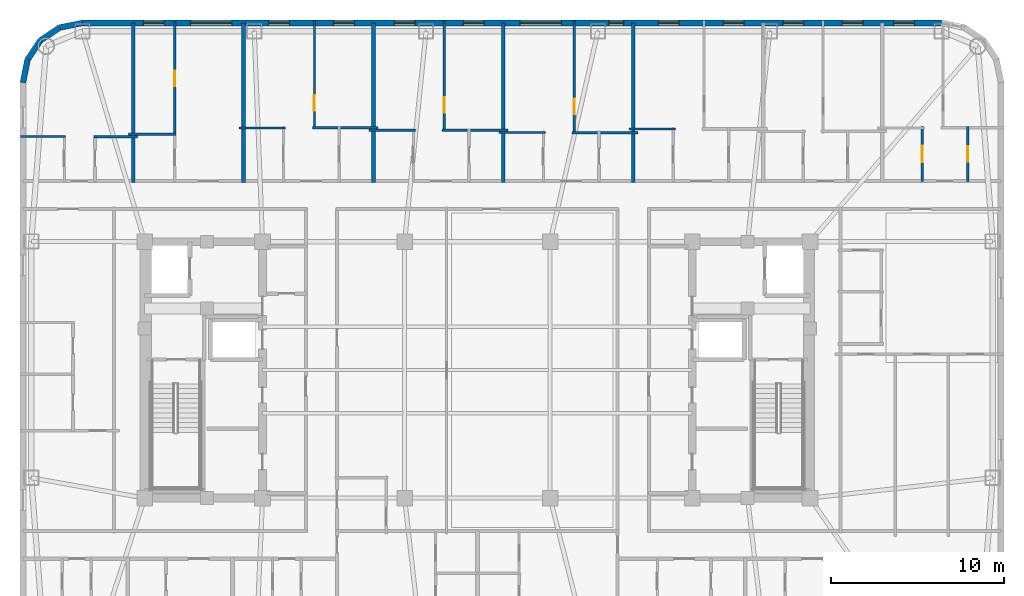
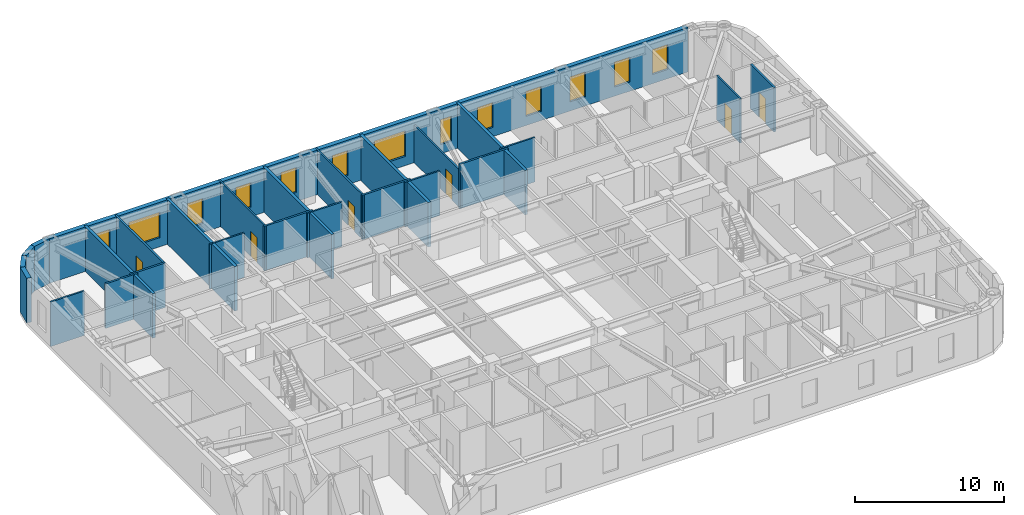
# One storey, part 8 of 11: 26 walls, 13 windows, 6 doors, 19 openings.
"""IFC4 building model written with IfcOpenShell, lengths in metres."""

import ifcopenshell
import ifcopenshell.guid

model = None  # the IFC model being written
_history = None  # IfcOwnerHistory: only IFC2X3 demands one
_inside = {}  # id of a spatial element -> (the spatial element, [elements in it])
_under = {}  # id of a project, library or spatial element -> (it, [spatial elements below it])
_declared = {}  # id of a project -> (the project, [libraries it declares])
_typed = {}  # id of a type object -> (the type object, [elements of that type])
_made_of = {}  # id of a material, layer set ... -> (it, [elements and type objects made of it])


def new_model(schema):
    """Start an empty IFC model of exactly this schema.

    Asked for "IFC4X3", IfcOpenShell would pick the latest addendum, in which some entities
    have other attributes; the version numbers below select the first issue.
    IFC2X3 requires an IfcOwnerHistory on every rooted entity: one is made here for all.
    """
    global model, _history
    if schema == "IFC4X3":
        model = ifcopenshell.file(schema_version=(4, 3, 0, 0))
    else:
        model = ifcopenshell.file(schema=schema)
    _inside.clear()
    _under.clear()
    _declared.clear()
    _typed.clear()
    _made_of.clear()
    _history = None
    if model.schema == "IFC2X3":
        org = make("IfcOrganization", Name="unknown")
        user = make(
            "IfcPersonAndOrganization",
            ThePerson=make("IfcPerson", FamilyName="unknown"),
            TheOrganization=org,
        )
        app = make(
            "IfcApplication",
            ApplicationDeveloper=org,
            Version="unknown",
            ApplicationFullName="unknown",
            ApplicationIdentifier="unknown",
        )
        _history = make(
            "IfcOwnerHistory",
            OwningUser=user,
            OwningApplication=app,
            ChangeAction="ADDED",
            CreationDate=0,
        )
    return model


def make(cls, **values):
    """One entity of the class cls with the attributes given. An attribute that is None is left unset."""
    return model.create_entity(
        cls, **{name: value for name, value in values.items() if value is not None}
    )


def rooted(cls, **values):
    """An entity with a GlobalId (a new one), such as an element, a storey or a relation."""
    return make(cls, GlobalId=ifcopenshell.guid.new(), OwnerHistory=_history, **values)


def si_unit(unit_type, name, prefix=None):
    """IfcSIUnit, for example si_unit("LENGTHUNIT", "METRE", prefix="MILLI")."""
    return make("IfcSIUnit", UnitType=unit_type, Prefix=prefix, Name=name)


def assignment(units):
    """IfcUnitAssignment: the units of a project."""
    return None if units is None else make("IfcUnitAssignment", Units=units)


def point(xyz):
    """IfcCartesianPoint."""
    return None if xyz is None else make("IfcCartesianPoint", Coordinates=xyz)


def direction(xyz):
    """IfcDirection."""
    return None if xyz is None else make("IfcDirection", DirectionRatios=xyz)


def frame(location, z_axis=None, x_axis=None):
    """IfcAxis2Placement3D, a coordinate frame: its origin and axes. An axis left out is left unset."""
    return make(
        "IfcAxis2Placement3D",
        Location=point(location),
        Axis=direction(z_axis),
        RefDirection=direction(x_axis),
    )


def frame_2d(location, x_axis=None):
    """IfcAxis2Placement2D, a coordinate frame in the plane: its origin and x axis."""
    return make(
        "IfcAxis2Placement2D", Location=point(location), RefDirection=direction(x_axis)
    )


def origin():
    """The frame at (0, 0, 0) with its axes left unset."""
    return frame((0.0, 0.0, 0.0))


def place(relative_to, where):
    """IfcLocalPlacement: puts the frame where relative to a parent placement (None: the world)."""
    return make(
        "IfcLocalPlacement", PlacementRelTo=relative_to, RelativePlacement=where
    )


def context(
    kind, dimensions, precision=None, world=None, true_north=None, identifier=None
):
    """IfcGeometricRepresentationContext, for example the 3D "Model" context."""
    return make(
        "IfcGeometricRepresentationContext",
        ContextIdentifier=identifier,
        ContextType=kind,
        CoordinateSpaceDimension=dimensions,
        Precision=precision,
        WorldCoordinateSystem=world,
        TrueNorth=true_north,
    )


def subcontext(parent, identifier, kind, view, scale=None):
    """IfcGeometricRepresentationSubContext, for example "Body" below "Model"."""
    return make(
        "IfcGeometricRepresentationSubContext",
        ContextIdentifier=identifier,
        ContextType=kind,
        ParentContext=parent,
        TargetScale=scale,
        TargetView=view,
    )


def project(units=None, contexts=None):
    """IfcProject with its units and contexts."""
    return rooted(
        "IfcProject",
        Name="project",
        RepresentationContexts=contexts,
        UnitsInContext=assignment(units),
    )


def spatial(cls, under=None, at=None, **own):
    """A site, building, storey or space (cls), placed at a placement, below another one or the project."""
    s = rooted(cls, ObjectPlacement=at, **own)
    if under is not None:
        _under.setdefault(under.id(), (under, []))[1].append(s)
    return s


def profile(cls, at=None, kind="AREA", **sizes):
    """A parametric profile (cls). Its sizes go by their IFC names, for example OverallWidth=200.0."""
    return make(cls, ProfileType=kind, Position=at, **sizes)


def rectangle(**sizes):
    """IfcRectangleProfileDef."""
    return profile("IfcRectangleProfileDef", **sizes)


def extrude(swept, where, along, depth):
    """IfcExtrudedAreaSolid: the profile swept, set in the frame where, extruded along a direction by depth."""
    return make(
        "IfcExtrudedAreaSolid",
        SweptArea=swept,
        Position=where,
        ExtrudedDirection=direction(along),
        Depth=depth,
    )


def shape(context_of_items, identifier, shape_type, items):
    """IfcShapeRepresentation: the items that make up one representation, for example the "Body"."""
    return make(
        "IfcShapeRepresentation",
        ContextOfItems=context_of_items,
        RepresentationIdentifier=identifier,
        RepresentationType=shape_type,
        Items=items,
    )


def material(Name=None, Category=None):
    """IfcMaterial."""
    return make("IfcMaterial", Name=Name, Category=Category)


def layer(
    of_material, thickness, ventilated=None, Name=None, Category=None, Priority=None
):
    """IfcMaterialLayer: one layer of a wall or slab, of a material (None: an air gap)."""
    return make(
        "IfcMaterialLayer",
        Material=of_material,
        LayerThickness=thickness,
        IsVentilated=ventilated,
        Name=Name,
        Category=Category,
        Priority=Priority,
    )


def layer_set(layers, Name=None):
    """IfcMaterialLayerSet."""
    return make("IfcMaterialLayerSet", MaterialLayers=layers, LayerSetName=Name)


def made_of(thing, what):
    """Note that an element or type object is made of a material, layer set ...; save() writes the relation."""
    if what is not None:
        _made_of.setdefault(what.id(), (what, []))[1].append(thing)
    return thing


def type_object(cls, material=None, **own):
    """A type object (cls), such as IfcWallType, which elements share."""
    return made_of(rooted(cls, **own), material)


def element(
    cls,
    number,
    at=None,
    inside=None,
    cuts=None,
    type_object=None,
    material=None,
    context=None,
    identifier="Body",
    shape_type=None,
    held_by="IfcProductDefinitionShape",
    body=None,
    shapes=None,
    **own,
):
    """One element of the class cls, such as IfcWall. Its Tag is "e" and its number.

    at: its placement. inside: the storey or other place that contains it. cuts: it is an
    opening in that element (IfcRelVoidsElement). A single representation is given by context,
    identifier, shape_type and body (its items); several are given by shapes. held_by: the class
    of the entity that holds the representations. save() writes the other relations.
    """
    e = rooted(cls, Tag="e%d" % number, ObjectPlacement=at, **own)
    if body is not None:
        shapes = [shape(context, identifier, shape_type, body)]
    if shapes is not None:
        e.Representation = make(held_by, Representations=shapes)
    if inside is not None:
        _inside.setdefault(inside.id(), (inside, []))[1].append(e)
    if cuts is not None:
        rooted(
            "IfcRelVoidsElement", RelatingBuildingElement=cuts, RelatedOpeningElement=e
        )
    if type_object is not None:
        _typed.setdefault(type_object.id(), (type_object, []))[1].append(e)
    return made_of(e, material)


def fill(opening, filler):
    """IfcRelFillsElement: the door or window that sits in an opening."""
    return rooted(
        "IfcRelFillsElement",
        RelatingOpeningElement=opening,
        RelatedBuildingElement=filler,
    )


def aggregate(whole, parts):
    """IfcRelAggregates: a whole, such as a stair, and the parts it consists of."""
    return rooted("IfcRelAggregates", RelatingObject=whole, RelatedObjects=parts)


def save(model, path):
    """Write the relations noted so far, then the file.

    IfcRelAggregates (storeys below a building ...), IfcRelContainedInSpatialStructure (elements
    in a storey), IfcRelDefinesByType, IfcRelAssociatesMaterial and IfcRelDeclares: one each for
    every whole, place, type object, material and project.
    """
    for whole, parts in _under.values():
        aggregate(whole, parts)
    for where, things in _inside.values():
        rooted(
            "IfcRelContainedInSpatialStructure",
            RelatedElements=things,
            RelatingStructure=where,
        )
    for kind, things in _typed.values():
        rooted("IfcRelDefinesByType", RelatedObjects=things, RelatingType=kind)
    for what, things in _made_of.values():
        rooted("IfcRelAssociatesMaterial", RelatedObjects=things, RelatingMaterial=what)
    for by, libraries in _declared.values():
        rooted("IfcRelDeclares", RelatingContext=by, RelatedDefinitions=libraries)
    model.write(path)


model = new_model("IFC4")

# Units and contexts
model_context = context("Model", 3, precision=1e-05, world=origin(), true_north=direction((0.0, 1.0)))
body_context = subcontext(model_context, "Body", "Model", "MODEL_VIEW")
ifc_project = project(units=[si_unit("LENGTHUNIT", "METRE"), si_unit("AREAUNIT", "SQUARE_METRE"), si_unit("VOLUMEUNIT", "CUBIC_METRE"), si_unit("PLANEANGLEUNIT", "RADIAN"), si_unit("MASSUNIT", "GRAM", prefix="KILO")], contexts=[model_context])

# Site, building, storey
site_placement = place(None, origin())
site = spatial("IfcSite", under=ifc_project, at=site_placement, CompositionType="ELEMENT")
building_placement = place(site_placement, origin())
building = spatial("IfcBuilding", under=site, at=building_placement, Name="Voryun Gate Residences", CompositionType="ELEMENT")
storey_placement = place(building_placement, frame((0.0, 0.0, 243.10009765625)))
storey = spatial("IfcBuildingStorey", under=building, at=storey_placement, Name="L60", CompositionType="ELEMENT", Elevation=243.10009765625)

# Walls
ifc_material_1 = material(Name="Charcoal terracotta masonry", Category="masonry")
ifc_layer_1 = layer(ifc_material_1, 0.340087890625, Name="W_EXT_TERRACOTTA_340")
ifc_layer_set_1 = layer_set([ifc_layer_1], Name="Charcoal terracotta masonry")
wall_type_1 = type_object("IfcWallType", Name="W_EXT_TERRACOTTA_340", PredefinedType="ELEMENTEDWALL", material=ifc_layer_set_1)
wall_1_placement = place(storey_placement, frame((-26.22998046875, 16.583251953125, 0.0), z_axis=(0.0, 0.0, 1.0), x_axis=(0.195075878998, 0.980788153188, 0.0)))
element("IfcWall", 1, at=wall_1_placement, inside=storey, type_object=wall_type_1, Name="Exterior wall WEXT-L60-07", PredefinedType="ELEMENTEDWALL", context=body_context, shape_type="SweptSolid", body=[
    extrude(rectangle(XDim=1.354248046875, YDim=0.340087890625, at=frame_2d((0.67724609375, 0.0))), origin(), (0.0, 0.0, 1.0), 3.64990234375),
])
for number, where, z_axis, x_axis, name in (
    (2, (-25.9658203125, 17.911376953125, 0.0), (0.0, 0.0, 1.0), (0.555669034571, 0.831403586725, 0.0), "Exterior wall WEXT-L60-08"),
    (3, (-25.222900390625, 19.02294921875, 0.0), (0.0, 0.0, 1.0), (0.831403586725, 0.555669034571, 0.0), "Exterior wall WEXT-L60-09"),
):
    element("IfcWall", number, at=place(storey_placement, frame(where, z_axis=z_axis, x_axis=x_axis)), inside=storey, type_object=wall_type_1, Name=name, PredefinedType="ELEMENTEDWALL", context=body_context, shape_type="SweptSolid", body=[
        extrude(rectangle(XDim=1.3369140625, YDim=0.340087890625, at=frame_2d((0.66845703125, 0.0))), origin(), (0.0, 0.0, 1.0), 3.64990234375),
    ])
wall_2_placement = place(storey_placement, frame((-24.111328125, 19.765869140625, 0.0), z_axis=(0.0, 0.0, 1.0), x_axis=(0.980788153188, 0.195075878998, 0.0)))
element("IfcWall", 4, at=wall_2_placement, inside=storey, type_object=wall_type_1, Name="Exterior wall WEXT-L60-10", PredefinedType="ELEMENTEDWALL", context=body_context, shape_type="SweptSolid", body=[
    extrude(rectangle(XDim=1.354248046875, YDim=0.340087890625, at=frame_2d((0.67724609375, 0.0))), origin(), (0.0, 0.0, 1.0), 3.64990234375),
])

# Wall, openings, windows
wall_3_placement = place(storey_placement, frame((-22.783203125, 20.030029296875, 0.0), z_axis=(0.0, 0.0, 1.0), x_axis=(1.0, 0.0, 0.0)))
wall_3 = element("IfcWall", 5, at=wall_3_placement, inside=storey, type_object=wall_type_1, Name="Exterior wall WEXT-L60-11", PredefinedType="ELEMENTEDWALL", context=body_context, shape_type="SweptSolid", body=[
    extrude(rectangle(XDim=49.56640625, YDim=0.340087890625, at=frame_2d((24.783203125, 0.0))), origin(), (0.0, 0.0, 1.0), 3.64990234375),
])
opening_1_placement = place(wall_3_placement, frame((6.211181640625, 0.0, 0.75)))
opening_1 = element("IfcOpeningElement", 6, at=opening_1_placement, cuts=wall_3, Name="Opening WN2", PredefinedType="OPENING", context=body_context, shape_type="SweptSolid", body=[
    extrude(rectangle(XDim=2.39990234375, YDim=2.10009765625, at=frame_2d((1.199951171875, 1.050048828125))), frame((0.0, 0.179931640625, 0.0), z_axis=(0.0, -1.0, 0.0), x_axis=(1.0, 0.0, 0.0)), (0.0, 0.0, 1.0), 0.360107421875),
])
opening_2_placement = place(wall_3_placement, frame((25.2333984375, 0.0, 0.75)))
opening_2 = element("IfcOpeningElement", 7, at=opening_2_placement, cuts=wall_3, Name="Opening WN2", PredefinedType="OPENING", context=body_context, shape_type="SweptSolid", body=[
    extrude(rectangle(XDim=2.39990234375, YDim=2.10009765625, at=frame_2d((1.199951171875, 1.050048828125))), frame((0.0, 0.179931640625, 0.0), z_axis=(0.0, -1.0, 0.0), x_axis=(1.0, 0.0, 0.0)), (0.0, 0.0, 1.0), 0.360107421875),
])
opening_3_placement = place(wall_3_placement, frame((3.5107421875, 0.0, 0.75)))
opening_3 = element("IfcOpeningElement", 8, at=opening_3_placement, cuts=wall_3, Name="Opening WN6", PredefinedType="OPENING", context=body_context, shape_type="SweptSolid", body=[
    extrude(rectangle(XDim=1.199951171875, YDim=2.050048828125, at=frame_2d((0.60009765625, 1.02490234375))), frame((0.0, 0.179931640625, 0.0), z_axis=(0.0, -1.0, 0.0), x_axis=(1.0, 0.0, 0.0)), (0.0, 0.0, 1.0), 0.360107421875),
])
opening_4_placement = place(wall_3_placement, frame((10.728271484375, 0.0, 0.75)))
opening_4 = element("IfcOpeningElement", 9, at=opening_4_placement, cuts=wall_3, Name="Opening WN6", PredefinedType="OPENING", context=body_context, shape_type="SweptSolid", body=[
    extrude(rectangle(XDim=1.199951171875, YDim=2.050048828125, at=frame_2d((0.60009765625, 1.02490234375))), frame((0.0, 0.179931640625, 0.0), z_axis=(0.0, -1.0, 0.0), x_axis=(1.0, 0.0, 0.0)), (0.0, 0.0, 1.0), 0.360107421875),
])
opening_5_placement = place(wall_3_placement, frame((14.478271484375, 0.0, 0.75)))
opening_5 = element("IfcOpeningElement", 10, at=opening_5_placement, cuts=wall_3, Name="Opening WN6", PredefinedType="OPENING", context=body_context, shape_type="SweptSolid", body=[
    extrude(rectangle(XDim=1.199951171875, YDim=2.050048828125, at=frame_2d((0.60009765625, 1.02490234375))), frame((0.0, 0.179931640625, 0.0), z_axis=(0.0, -1.0, 0.0), x_axis=(1.0, 0.0, 0.0)), (0.0, 0.0, 1.0), 0.360107421875),
])
opening_6_placement = place(wall_3_placement, frame((17.98828125, 0.0, 0.75)))
opening_6 = element("IfcOpeningElement", 11, at=opening_6_placement, cuts=wall_3, Name="Opening WN6", PredefinedType="OPENING", context=body_context, shape_type="SweptSolid", body=[
    extrude(rectangle(XDim=1.199951171875, YDim=2.050048828125, at=frame_2d((0.60009765625, 1.02490234375))), frame((0.0, 0.179931640625, 0.0), z_axis=(0.0, -1.0, 0.0), x_axis=(1.0, 0.0, 0.0)), (0.0, 0.0, 1.0), 0.360107421875),
])
opening_7_placement = place(wall_3_placement, frame((21.978271484375, 0.0, 0.75)))
opening_7 = element("IfcOpeningElement", 12, at=opening_7_placement, cuts=wall_3, Name="Opening WN6", PredefinedType="OPENING", context=body_context, shape_type="SweptSolid", body=[
    extrude(rectangle(XDim=1.199951171875, YDim=2.050048828125, at=frame_2d((0.60009765625, 1.02490234375))), frame((0.0, 0.179931640625, 0.0), z_axis=(0.0, -1.0, 0.0), x_axis=(1.0, 0.0, 0.0)), (0.0, 0.0, 1.0), 0.360107421875),
])
opening_8_placement = place(wall_3_placement, frame((30.373291015625, 0.0, 0.75)))
opening_8 = element("IfcOpeningElement", 13, at=opening_8_placement, cuts=wall_3, Name="Opening WN9", PredefinedType="OPENING", context=body_context, shape_type="SweptSolid", body=[
    extrude(rectangle(XDim=0.85009765625, YDim=2.050048828125, at=frame_2d((0.425048828125, 1.02490234375))), frame((0.0, 0.179931640625, 0.0), z_axis=(0.0, -1.0, 0.0), x_axis=(1.0, 0.0, 0.0)), (0.0, 0.0, 1.0), 0.360107421875),
])
opening_9_placement = place(wall_3_placement, frame((33.228271484375, 0.0, 0.75)))
opening_9 = element("IfcOpeningElement", 14, at=opening_9_placement, cuts=wall_3, Name="Opening WN6", PredefinedType="OPENING", context=body_context, shape_type="SweptSolid", body=[
    extrude(rectangle(XDim=1.199951171875, YDim=2.050048828125, at=frame_2d((0.60009765625, 1.02490234375))), frame((0.0, 0.179931640625, 0.0), z_axis=(0.0, -1.0, 0.0), x_axis=(1.0, 0.0, 0.0)), (0.0, 0.0, 1.0), 0.360107421875),
])
opening_10_placement = place(wall_3_placement, frame((36.978271484375, 0.0, 0.75)))
opening_10 = element("IfcOpeningElement", 15, at=opening_10_placement, cuts=wall_3, Name="Opening WN6", PredefinedType="OPENING", context=body_context, shape_type="SweptSolid", body=[
    extrude(rectangle(XDim=1.199951171875, YDim=2.050048828125, at=frame_2d((0.60009765625, 1.02490234375))), frame((0.0, 0.179931640625, 0.0), z_axis=(0.0, -1.0, 0.0), x_axis=(1.0, 0.0, 0.0)), (0.0, 0.0, 1.0), 0.360107421875),
])
opening_11_placement = place(wall_3_placement, frame((40.412353515625, 0.0, 0.75)))
opening_11 = element("IfcOpeningElement", 16, at=opening_11_placement, cuts=wall_3, Name="Opening WN6", PredefinedType="OPENING", context=body_context, shape_type="SweptSolid", body=[
    extrude(rectangle(XDim=1.199951171875, YDim=2.050048828125, at=frame_2d((0.60009765625, 1.02490234375))), frame((0.0, 0.179931640625, 0.0), z_axis=(0.0, -1.0, 0.0), x_axis=(1.0, 0.0, 0.0)), (0.0, 0.0, 1.0), 0.360107421875),
])
opening_12_placement = place(wall_3_placement, frame((43.84619140625, 0.0, 0.75)))
opening_12 = element("IfcOpeningElement", 17, at=opening_12_placement, cuts=wall_3, Name="Opening WN6", PredefinedType="OPENING", context=body_context, shape_type="SweptSolid", body=[
    extrude(rectangle(XDim=1.199951171875, YDim=2.050048828125, at=frame_2d((0.60009765625, 1.02490234375))), frame((0.0, 0.179931640625, 0.0), z_axis=(0.0, -1.0, 0.0), x_axis=(1.0, 0.0, 0.0)), (0.0, 0.0, 1.0), 0.360107421875),
])
opening_13_placement = place(wall_3_placement, frame((46.81396484375, 0.0, 0.75)))
opening_13 = element("IfcOpeningElement", 18, at=opening_13_placement, cuts=wall_3, Name="Opening WN6", PredefinedType="OPENING", context=body_context, shape_type="SweptSolid", body=[
    extrude(rectangle(XDim=1.199951171875, YDim=2.050048828125, at=frame_2d((0.60009765625, 1.02490234375))), frame((0.0, 0.179931640625, 0.0), z_axis=(0.0, -1.0, 0.0), x_axis=(1.0, 0.0, 0.0)), (0.0, 0.0, 1.0), 0.360107421875),
])
ifc_material_2 = material(Name="Laminated low-E glass", Category="glass")
window_type_1 = type_object("IfcWindowType", Name="WN_POD_SLOT_1200", PartitioningType="SINGLE_PANEL", PredefinedType="WINDOW", material=ifc_material_2)
window_1_placement = place(opening_3_placement, origin())
window_1 = element("IfcWindow", 19, at=window_1_placement, inside=storey, type_object=window_type_1, Name="Window WN-L60-DWFIX-02", OverallHeight=2.050048828125, OverallWidth=1.199951171875, PartitioningType="SINGLE_PANEL", PredefinedType="WINDOW", context=body_context, shape_type="SweptSolid", body=[
    extrude(rectangle(XDim=1.199951171875, YDim=2.050048828125, at=frame_2d((0.60009765625, 1.02490234375))), frame((0.0, 0.030029296875, 0.0), z_axis=(0.0, -1.0, 0.0), x_axis=(1.0, 0.0, 0.0)), (0.0, 0.0, 1.0), 0.06005859375),
])
fill(opening_3, window_1)
window_2_placement = place(opening_4_placement, origin())
window_2 = element("IfcWindow", 20, at=window_2_placement, inside=storey, type_object=window_type_1, Name="Window WN-L60-DWFIX-03", OverallHeight=2.050048828125, OverallWidth=1.199951171875, PartitioningType="SINGLE_PANEL", PredefinedType="WINDOW", context=body_context, shape_type="SweptSolid", body=[
    extrude(rectangle(XDim=1.199951171875, YDim=2.050048828125, at=frame_2d((0.60009765625, 1.02490234375))), frame((0.0, 0.030029296875, 0.0), z_axis=(0.0, -1.0, 0.0), x_axis=(1.0, 0.0, 0.0)), (0.0, 0.0, 1.0), 0.06005859375),
])
fill(opening_4, window_2)
window_3_placement = place(opening_5_placement, origin())
window_3 = element("IfcWindow", 21, at=window_3_placement, inside=storey, type_object=window_type_1, Name="Window WN-L60-DWFIX-04", OverallHeight=2.050048828125, OverallWidth=1.199951171875, PartitioningType="SINGLE_PANEL", PredefinedType="WINDOW", context=body_context, shape_type="SweptSolid", body=[
    extrude(rectangle(XDim=1.199951171875, YDim=2.050048828125, at=frame_2d((0.60009765625, 1.02490234375))), frame((0.0, 0.030029296875, 0.0), z_axis=(0.0, -1.0, 0.0), x_axis=(1.0, 0.0, 0.0)), (0.0, 0.0, 1.0), 0.06005859375),
])
fill(opening_5, window_3)
window_4_placement = place(opening_6_placement, origin())
window_4 = element("IfcWindow", 22, at=window_4_placement, inside=storey, type_object=window_type_1, Name="Window WN-L60-DWFIX-05", OverallHeight=2.050048828125, OverallWidth=1.199951171875, PartitioningType="SINGLE_PANEL", PredefinedType="WINDOW", context=body_context, shape_type="SweptSolid", body=[
    extrude(rectangle(XDim=1.199951171875, YDim=2.050048828125, at=frame_2d((0.60009765625, 1.02490234375))), frame((0.0, 0.030029296875, 0.0), z_axis=(0.0, -1.0, 0.0), x_axis=(1.0, 0.0, 0.0)), (0.0, 0.0, 1.0), 0.06005859375),
])
fill(opening_6, window_4)
window_5_placement = place(opening_7_placement, origin())
window_5 = element("IfcWindow", 23, at=window_5_placement, inside=storey, type_object=window_type_1, Name="Window WN-L60-DWFIX-06", OverallHeight=2.050048828125, OverallWidth=1.199951171875, PartitioningType="SINGLE_PANEL", PredefinedType="WINDOW", context=body_context, shape_type="SweptSolid", body=[
    extrude(rectangle(XDim=1.199951171875, YDim=2.050048828125, at=frame_2d((0.60009765625, 1.02490234375))), frame((0.0, 0.030029296875, 0.0), z_axis=(0.0, -1.0, 0.0), x_axis=(1.0, 0.0, 0.0)), (0.0, 0.0, 1.0), 0.06005859375),
])
fill(opening_7, window_5)
window_6_placement = place(opening_9_placement, origin())
window_6 = element("IfcWindow", 24, at=window_6_placement, inside=storey, type_object=window_type_1, Name="Window WN-L60-DWFIX-08", OverallHeight=2.050048828125, OverallWidth=1.199951171875, PartitioningType="SINGLE_PANEL", PredefinedType="WINDOW", context=body_context, shape_type="SweptSolid", body=[
    extrude(rectangle(XDim=1.199951171875, YDim=2.050048828125, at=frame_2d((0.60009765625, 1.02490234375))), frame((0.0, 0.030029296875, 0.0), z_axis=(0.0, -1.0, 0.0), x_axis=(1.0, 0.0, 0.0)), (0.0, 0.0, 1.0), 0.06005859375),
])
fill(opening_9, window_6)
window_7_placement = place(opening_10_placement, origin())
window_7 = element("IfcWindow", 25, at=window_7_placement, inside=storey, type_object=window_type_1, Name="Window WN-L60-DWFIX-09", OverallHeight=2.050048828125, OverallWidth=1.199951171875, PartitioningType="SINGLE_PANEL", PredefinedType="WINDOW", context=body_context, shape_type="SweptSolid", body=[
    extrude(rectangle(XDim=1.199951171875, YDim=2.050048828125, at=frame_2d((0.60009765625, 1.02490234375))), frame((0.0, 0.030029296875, 0.0), z_axis=(0.0, -1.0, 0.0), x_axis=(1.0, 0.0, 0.0)), (0.0, 0.0, 1.0), 0.06005859375),
])
fill(opening_10, window_7)
window_8_placement = place(opening_11_placement, origin())
window_8 = element("IfcWindow", 26, at=window_8_placement, inside=storey, type_object=window_type_1, Name="Window WN-L60-DWFIX-10", OverallHeight=2.050048828125, OverallWidth=1.199951171875, PartitioningType="SINGLE_PANEL", PredefinedType="WINDOW", context=body_context, shape_type="SweptSolid", body=[
    extrude(rectangle(XDim=1.199951171875, YDim=2.050048828125, at=frame_2d((0.60009765625, 1.02490234375))), frame((0.0, 0.030029296875, 0.0), z_axis=(0.0, -1.0, 0.0), x_axis=(1.0, 0.0, 0.0)), (0.0, 0.0, 1.0), 0.06005859375),
])
fill(opening_11, window_8)
window_9_placement = place(opening_12_placement, origin())
window_9 = element("IfcWindow", 27, at=window_9_placement, inside=storey, type_object=window_type_1, Name="Window WN-L60-DWFIX-11", OverallHeight=2.050048828125, OverallWidth=1.199951171875, PartitioningType="SINGLE_PANEL", PredefinedType="WINDOW", context=body_context, shape_type="SweptSolid", body=[
    extrude(rectangle(XDim=1.199951171875, YDim=2.050048828125, at=frame_2d((0.60009765625, 1.02490234375))), frame((0.0, 0.030029296875, 0.0), z_axis=(0.0, -1.0, 0.0), x_axis=(1.0, 0.0, 0.0)), (0.0, 0.0, 1.0), 0.06005859375),
])
fill(opening_12, window_9)
window_10_placement = place(opening_13_placement, origin())
window_10 = element("IfcWindow", 28, at=window_10_placement, inside=storey, type_object=window_type_1, Name="Window WN-L60-DWFIX-12", OverallHeight=2.050048828125, OverallWidth=1.199951171875, PartitioningType="SINGLE_PANEL", PredefinedType="WINDOW", context=body_context, shape_type="SweptSolid", body=[
    extrude(rectangle(XDim=1.199951171875, YDim=2.050048828125, at=frame_2d((0.60009765625, 1.02490234375))), frame((0.0, 0.030029296875, 0.0), z_axis=(0.0, -1.0, 0.0), x_axis=(1.0, 0.0, 0.0)), (0.0, 0.0, 1.0), 0.06005859375),
])
fill(opening_13, window_10)
ifc_material_3 = material(Name="Laminated low-E glass", Category="glass")
window_type_2 = type_object("IfcWindowType", Name="WN_RES_CASEMENT_850", PartitioningType="SINGLE_PANEL", PredefinedType="WINDOW", material=ifc_material_3)
window_11_placement = place(opening_8_placement, origin())
window_11 = element("IfcWindow", 29, at=window_11_placement, inside=storey, type_object=window_type_2, Name="Window WN-L60-DWFIX-07", OverallHeight=2.050048828125, OverallWidth=0.85009765625, PartitioningType="SINGLE_PANEL", PredefinedType="WINDOW", context=body_context, shape_type="SweptSolid", body=[
    extrude(rectangle(XDim=0.85009765625, YDim=2.050048828125, at=frame_2d((0.425048828125, 1.02490234375))), frame((0.0, 0.030029296875, 0.0), z_axis=(0.0, -1.0, 0.0), x_axis=(1.0, 0.0, 0.0)), (0.0, 0.0, 1.0), 0.06005859375),
])
fill(opening_8, window_11)
ifc_material_4 = material(Name="Laminated low-E glass", Category="glass")
window_type_3 = type_object("IfcWindowType", Name="WN_RES_WIDE_2400", PartitioningType="SINGLE_PANEL", PredefinedType="WINDOW", material=ifc_material_4)
window_12_placement = place(opening_1_placement, origin())
window_12 = element("IfcWindow", 30, at=window_12_placement, inside=storey, type_object=window_type_3, Name="Window WN-WEXT-L60-11-01", OverallHeight=2.10009765625, OverallWidth=2.39990234375, PartitioningType="SINGLE_PANEL", PredefinedType="WINDOW", context=body_context, shape_type="SweptSolid", body=[
    extrude(rectangle(XDim=2.39990234375, YDim=2.10009765625, at=frame_2d((1.199951171875, 1.050048828125))), frame((0.0, 0.030029296875, 0.0), z_axis=(0.0, -1.0, 0.0), x_axis=(1.0, 0.0, 0.0)), (0.0, 0.0, 1.0), 0.06005859375),
])
fill(opening_1, window_12)
window_13_placement = place(opening_2_placement, origin())
window_13 = element("IfcWindow", 31, at=window_13_placement, inside=storey, type_object=window_type_3, Name="Window WN-WEXT-L60-11-02", OverallHeight=2.10009765625, OverallWidth=2.39990234375, PartitioningType="SINGLE_PANEL", PredefinedType="WINDOW", context=body_context, shape_type="SweptSolid", body=[
    extrude(rectangle(XDim=2.39990234375, YDim=2.10009765625, at=frame_2d((1.199951171875, 1.050048828125))), frame((0.0, 0.030029296875, 0.0), z_axis=(0.0, -1.0, 0.0), x_axis=(1.0, 0.0, 0.0)), (0.0, 0.0, 1.0), 0.06005859375),
])
fill(opening_2, window_13)

# Walls
ifc_material_5 = material(Name="Concrete C40/50", Category="concrete")
ifc_layer_2 = layer(ifc_material_5, 0.219970703125, Name="W_PARTY_ACOUSTIC_220")
ifc_layer_set_2 = layer_set([ifc_layer_2], Name="Concrete C40/50")
wall_type_2 = type_object("IfcWallType", Name="W_PARTY_ACOUSTIC_220", PredefinedType="PARTITIONING", material=ifc_layer_set_2)
for number, where, z_axis, x_axis, name in (
    (32, (-19.867919921875, 10.820068359375, 0.0), (0.0, 0.0, 1.0), (0.0, 1.0, 0.0), "Partition wall WP-L60-NPTY-1"),
    (33, (-13.5, 10.820068359375, 0.0), (0.0, 0.0, 1.0), (0.0, 1.0, 0.0), "Partition wall WP-L60-NPTY-2"),
    (34, (-6.0, 10.820068359375, 0.0), (0.0, 0.0, 1.0), (0.0, 1.0, 0.0), "Partition wall WP-L60-NPTY-3"),
    (35, (1.5, 10.820068359375, 0.0), (0.0, 0.0, 1.0), (0.0, 1.0, 0.0), "Partition wall WP-L60-NPTY-4"),
    (36, (9.0, 10.820068359375, 0.0), (0.0, 0.0, 1.0), (0.0, 1.0, 0.0), "Partition wall WP-L60-NPTY-5"),
):
    element("IfcWall", number, at=place(storey_placement, frame(where, z_axis=z_axis, x_axis=x_axis)), inside=storey, type_object=wall_type_2, Name=name, PredefinedType="PARTITIONING", context=body_context, shape_type="SweptSolid", body=[
        extrude(rectangle(XDim=9.2099609375, YDim=0.219970703125, at=frame_2d((4.60498046875, 0.0))), origin(), (0.0, 0.0, 1.0), 3.64990234375),
    ])
ifc_material_6 = material(Name="Gypsum acoustic partition")
ifc_layer_3 = layer(ifc_material_6, 0.125, Name="W_UNIT_PART_125")
ifc_layer_set_3 = layer_set([ifc_layer_3], Name="Gypsum acoustic partition")
wall_type_3 = type_object("IfcWallType", Name="W_UNIT_PART_125", PredefinedType="PARTITIONING", material=ifc_layer_set_3)
wall_4_placement = place(storey_placement, frame((-26.3798828125, 13.469970703125, 0.0), z_axis=(0.0, 0.0, 1.0), x_axis=(1.0, 0.0, 0.0)))
element("IfcWall", 37, at=wall_4_placement, inside=storey, type_object=wall_type_3, Name="Partition wall WP-L60-N1-CHK", PredefinedType="PARTITIONING", context=body_context, shape_type="SweptSolid", body=[
    extrude(rectangle(XDim=2.600830078125, YDim=0.125, at=frame_2d((1.30029296875, 0.0))), origin(), (0.0, 0.0, 1.0), 3.64990234375),
])

# Wall, opening, door
wall_5_placement = place(storey_placement, frame((-9.409912109375, 13.89404296875, 0.0), z_axis=(0.0, 0.0, 1.0), x_axis=(0.0, 1.0, 0.0)))
wall_5 = element("IfcWall", 38, at=wall_5_placement, inside=storey, type_object=wall_type_3, Name="Partition wall WP-L60-N3-OVR", PredefinedType="PARTITIONING", context=body_context, shape_type="SweptSolid", body=[
    extrude(rectangle(XDim=6.285888671875, YDim=0.125, at=frame_2d((3.14306640625, 0.0))), origin(), (0.0, 0.0, 1.0), 3.64990234375),
])
opening_14_placement = place(wall_5_placement, frame((1.05859375, 0.0, 0.0)))
opening_14 = element("IfcOpeningElement", 39, at=opening_14_placement, cuts=wall_5, Name="Opening D-INT-2", PredefinedType="OPENING", context=body_context, shape_type="SweptSolid", body=[
    extrude(rectangle(XDim=0.89990234375, YDim=2.050048828125, at=frame_2d((0.449951171875, 1.02490234375))), frame((0.0, 0.072509765625, 0.0), z_axis=(0.0, -1.0, 0.0), x_axis=(1.0, 0.0, 0.0)), (0.0, 0.0, 1.0), 0.14501953125),
])
ifc_material_7 = material(Name="Architectural oak veneer")
door_type_1 = type_object("IfcDoorType", Name="DR_INT_BATH_900", OperationType="NOTDEFINED", PredefinedType="DOOR", material=ifc_material_7)
door_1_placement = place(opening_14_placement, origin())
door_1 = element("IfcDoor", 40, at=door_1_placement, inside=storey, type_object=door_type_1, Name="Door DR-L60-N3-DMB", OperationType="SINGLE_SWING_RIGHT", OverallHeight=2.050048828125, OverallWidth=0.89990234375, PredefinedType="DOOR", context=body_context, shape_type="SweptSolid", body=[
    extrude(rectangle(XDim=0.89990234375, YDim=2.050048828125, at=frame_2d((0.449951171875, 1.02490234375))), frame((0.0, 0.02490234375, 0.0), z_axis=(0.0, -1.0, 0.0), x_axis=(1.0, 0.0, 0.0)), (0.0, 0.0, 1.0), 0.050048828125),
])
fill(opening_14, door_1)

# Wall
wall_6_placement = place(storey_placement, frame((-13.760009765625, 13.97412109375, 0.0), z_axis=(0.0, 0.0, 1.0), x_axis=(1.0, 0.0, 0.0)))
element("IfcWall", 41, at=wall_6_placement, inside=storey, type_object=wall_type_3, Name="Partition wall WP-L60-N3-HZK", PredefinedType="PARTITIONING", context=body_context, shape_type="SweptSolid", body=[
    extrude(rectangle(XDim=2.68994140625, YDim=0.125, at=frame_2d((1.344970703125, 0.0))), origin(), (0.0, 0.0, 1.0), 3.64990234375),
])

# Wall, opening, door
wall_7_placement = place(storey_placement, frame((-1.909912109375, 13.757080078125, 0.0), z_axis=(0.0, 0.0, 1.0), x_axis=(0.0, 1.0, 0.0)))
wall_7 = element("IfcWall", 42, at=wall_7_placement, inside=storey, type_object=wall_type_3, Name="Partition wall WP-L60-N4-OVR", PredefinedType="PARTITIONING", context=body_context, shape_type="SweptSolid", body=[
    extrude(rectangle(XDim=6.4228515625, YDim=0.125, at=frame_2d((3.21142578125, 0.0))), origin(), (0.0, 0.0, 1.0), 3.64990234375),
])
opening_15_placement = place(wall_7_placement, frame((1.091552734375, 0.0, 0.0)))
opening_15 = element("IfcOpeningElement", 43, at=opening_15_placement, cuts=wall_7, Name="Opening D-INT-2", PredefinedType="OPENING", context=body_context, shape_type="SweptSolid", body=[
    extrude(rectangle(XDim=0.89990234375, YDim=2.050048828125, at=frame_2d((0.449951171875, 1.02490234375))), frame((0.0, 0.072509765625, 0.0), z_axis=(0.0, -1.0, 0.0), x_axis=(1.0, 0.0, 0.0)), (0.0, 0.0, 1.0), 0.14501953125),
])
door_2_placement = place(opening_15_placement, origin())
door_2 = element("IfcDoor", 44, at=door_2_placement, inside=storey, type_object=door_type_1, Name="Door DR-L60-N4-DMB", OperationType="SINGLE_SWING_RIGHT", OverallHeight=2.050048828125, OverallWidth=0.89990234375, PredefinedType="DOOR", context=body_context, shape_type="SweptSolid", body=[
    extrude(rectangle(XDim=0.89990234375, YDim=2.050048828125, at=frame_2d((0.449951171875, 1.02490234375))), frame((0.0, 0.02490234375, 0.0), z_axis=(0.0, -1.0, 0.0), x_axis=(1.0, 0.0, 0.0)), (0.0, 0.0, 1.0), 0.050048828125),
])
fill(opening_15, door_2)

# Wall
wall_8_placement = place(storey_placement, frame((-6.260009765625, 13.8369140625, 0.0), z_axis=(0.0, 0.0, 1.0), x_axis=(1.0, 0.0, 0.0)))
element("IfcWall", 45, at=wall_8_placement, inside=storey, type_object=wall_type_3, Name="Partition wall WP-L60-N4-HZK", PredefinedType="PARTITIONING", context=body_context, shape_type="SweptSolid", body=[
    extrude(rectangle(XDim=2.68994140625, YDim=0.125, at=frame_2d((1.344970703125, 0.0))), origin(), (0.0, 0.0, 1.0), 3.64990234375),
])

# Wall, opening, door
wall_9_placement = place(storey_placement, frame((5.590087890625, 13.62109375, 0.0), z_axis=(0.0, 0.0, 1.0), x_axis=(0.0, 1.0, 0.0)))
wall_9 = element("IfcWall", 46, at=wall_9_placement, inside=storey, type_object=wall_type_3, Name="Partition wall WP-L60-N5-OVR", PredefinedType="PARTITIONING", context=body_context, shape_type="SweptSolid", body=[
    extrude(rectangle(XDim=6.558837890625, YDim=0.125, at=frame_2d((3.279296875, 0.0))), origin(), (0.0, 0.0, 1.0), 3.08984375),
])
opening_16_placement = place(wall_9_placement, frame((1.124267578125, 0.0, 0.0)))
opening_16 = element("IfcOpeningElement", 47, at=opening_16_placement, cuts=wall_9, Name="Opening D-INT-2", PredefinedType="OPENING", context=body_context, shape_type="SweptSolid", body=[
    extrude(rectangle(XDim=0.89990234375, YDim=2.050048828125, at=frame_2d((0.449951171875, 1.02490234375))), frame((0.0, 0.072509765625, 0.0), z_axis=(0.0, -1.0, 0.0), x_axis=(1.0, 0.0, 0.0)), (0.0, 0.0, 1.0), 0.14501953125),
])
door_3_placement = place(opening_16_placement, origin())
door_3 = element("IfcDoor", 48, at=door_3_placement, inside=storey, type_object=door_type_1, Name="Door DR-L60-N5-DMB", OperationType="SINGLE_SWING_RIGHT", OverallHeight=2.050048828125, OverallWidth=0.89990234375, PredefinedType="DOOR", context=body_context, shape_type="SweptSolid", body=[
    extrude(rectangle(XDim=0.89990234375, YDim=2.050048828125, at=frame_2d((0.449951171875, 1.02490234375))), frame((0.0, 0.02490234375, 0.0), z_axis=(0.0, -1.0, 0.0), x_axis=(1.0, 0.0, 0.0)), (0.0, 0.0, 1.0), 0.050048828125),
])
fill(opening_16, door_3)

# Walls
for number, where, z_axis, x_axis, name in (
    (49, (1.239990234375, 13.700927734375, 0.0), (0.0, 0.0, 1.0), (1.0, 0.0, 0.0), "Partition wall WP-L60-N5-HZK"),
    (50, (8.739990234375, 13.906005859375, 0.0), (0.0, 0.0, 1.0), (1.0, 0.0, 0.0), "Partition wall WP-L60-N6-HZK"),
):
    element("IfcWall", number, at=place(storey_placement, frame(where, z_axis=z_axis, x_axis=x_axis)), inside=storey, type_object=wall_type_3, Name=name, PredefinedType="PARTITIONING", context=body_context, shape_type="SweptSolid", body=[
        extrude(rectangle(XDim=2.68994140625, YDim=0.125, at=frame_2d((1.344970703125, 0.0))), origin(), (0.0, 0.0, 1.0), 3.64990234375),
    ])

# Wall, opening, door
wall_10_placement = place(storey_placement, frame((25.677978515625, 10.8798828125, 0.0), z_axis=(0.0, 0.0, 1.0), x_axis=(0.0, 1.0, 0.0)))
wall_10 = element("IfcWall", 51, at=wall_10_placement, inside=storey, type_object=wall_type_3, Name="Partition wall WP-L60-N8-IVK", PredefinedType="PARTITIONING", context=body_context, shape_type="SweptSolid", body=[
    extrude(rectangle(XDim=3.174072265625, YDim=0.125, at=frame_2d((1.5869140625, 0.0))), origin(), (0.0, 0.0, 1.0), 3.64990234375),
])
opening_17_placement = place(wall_10_placement, frame((1.112060546875, 0.0, 0.0)))
opening_17 = element("IfcOpeningElement", 52, at=opening_17_placement, cuts=wall_10, Name="Opening D-INT-1", PredefinedType="OPENING", context=body_context, shape_type="SweptSolid", body=[
    extrude(rectangle(XDim=0.949951171875, YDim=2.050048828125, at=frame_2d((0.47509765625, 1.02490234375))), frame((0.0, 0.072509765625, 0.0), z_axis=(0.0, -1.0, 0.0), x_axis=(1.0, 0.0, 0.0)), (0.0, 0.0, 1.0), 0.14501953125),
])
ifc_material_8 = material(Name="Architectural oak veneer")
door_type_2 = type_object("IfcDoorType", Name="DR_INT_ROOM_950", OperationType="NOTDEFINED", PredefinedType="DOOR", material=ifc_material_8)
door_4_placement = place(opening_17_placement, origin())
door_4 = element("IfcDoor", 53, at=door_4_placement, inside=storey, type_object=door_type_2, Name="Door DR-L60-N8-DK", OperationType="SINGLE_SWING_LEFT", OverallHeight=2.050048828125, OverallWidth=0.949951171875, PredefinedType="DOOR", context=body_context, shape_type="SweptSolid", body=[
    extrude(rectangle(XDim=0.949951171875, YDim=2.050048828125, at=frame_2d((0.47509765625, 1.02490234375))), frame((0.0, 0.02490234375, 0.0), z_axis=(0.0, -1.0, 0.0), x_axis=(1.0, 0.0, 0.0)), (0.0, 0.0, 1.0), 0.050048828125),
])
fill(opening_17, door_4)

# Walls
ifc_material_9 = material(Name="Gypsum moisture-resistant partition")
ifc_layer_4 = layer(ifc_material_9, 0.14990234375, Name="W_WET_PLUMB_150")
ifc_layer_set_4 = layer_set([ifc_layer_4], Name="Gypsum moisture-resistant partition")
wall_type_4 = type_object("IfcWallType", Name="W_WET_PLUMB_150", PredefinedType="PLUMBINGWALL", material=ifc_layer_set_4)
wall_11_placement = place(storey_placement, frame((-22.133056640625, 13.469970703125, 0.0), z_axis=(0.0, 0.0, 1.0), x_axis=(1.0, 0.0, 0.0)))
element("IfcWall", 54, at=wall_11_placement, inside=storey, type_object=wall_type_4, Name="Partition wall WP-L60-N1-CHB", PredefinedType="PLUMBINGWALL", context=body_context, shape_type="SweptSolid", body=[
    extrude(rectangle(XDim=2.525146484375, YDim=0.14990234375, at=frame_2d((1.2626953125, 0.0))), origin(), (0.0, 0.0, 1.0), 3.64990234375),
])
wall_12_placement = place(storey_placement, frame((-20.1279296875, 13.60009765625, 0.0), z_axis=(0.0, 0.0, 1.0), x_axis=(1.0, 0.0, 0.0)))
element("IfcWall", 55, at=wall_12_placement, inside=storey, type_object=wall_type_4, Name="Partition wall WP-L60-N2-SKB", PredefinedType="PLUMBINGWALL", context=body_context, shape_type="SweptSolid", body=[
    extrude(rectangle(XDim=2.73095703125, YDim=0.14990234375, at=frame_2d((1.365478515625, 0.0))), origin(), (0.0, 0.0, 1.0), 3.64990234375),
])

# Wall, opening, door
wall_13_placement = place(storey_placement, frame((-17.47705078125, 13.56005859375, 0.0), z_axis=(0.0, 0.0, 1.0), x_axis=(0.0, 1.0, 0.0)))
wall_13 = element("IfcWall", 56, at=wall_13_placement, inside=storey, type_object=wall_type_4, Name="Partition wall WP-L60-N2-SVT2", PredefinedType="PLUMBINGWALL", context=body_context, shape_type="SweptSolid", body=[
    extrude(rectangle(XDim=6.516845703125, YDim=0.14990234375, at=frame_2d((3.25830078125, 0.0))), origin(), (0.0, 0.0, 1.0), 3.64990234375),
])
opening_18_placement = place(wall_13_placement, frame((2.808349609375, 0.0, 0.0)))
opening_18 = element("IfcOpeningElement", 57, at=opening_18_placement, cuts=wall_13, Name="Opening D-INT-2", PredefinedType="OPENING", context=body_context, shape_type="SweptSolid", body=[
    extrude(rectangle(XDim=0.89990234375, YDim=2.050048828125, at=frame_2d((0.449951171875, 1.02490234375))), frame((0.0, 0.0849609375, 0.0), z_axis=(0.0, -1.0, 0.0), x_axis=(1.0, 0.0, 0.0)), (0.0, 0.0, 1.0), 0.169921875),
])
door_5_placement = place(opening_18_placement, origin())
door_5 = element("IfcDoor", 58, at=door_5_placement, inside=storey, type_object=door_type_1, Name="Door DR-L60-N2-DK", OperationType="SINGLE_SWING_RIGHT", OverallHeight=2.050048828125, OverallWidth=0.89990234375, PredefinedType="DOOR", context=body_context, shape_type="SweptSolid", body=[
    extrude(rectangle(XDim=0.89990234375, YDim=2.050048828125, at=frame_2d((0.449951171875, 1.02490234375))), frame((0.0, 0.02490234375, 0.0), z_axis=(0.0, -1.0, 0.0), x_axis=(1.0, 0.0, 0.0)), (0.0, 0.0, 1.0), 0.050048828125),
])
fill(opening_18, door_5)

# Walls
for number, where, z_axis, x_axis, name in (
    (59, (-9.530029296875, 13.97412109375, 0.0), (0.0, 0.0, 1.0), (1.0, 0.0, 0.0), "Partition wall WP-L60-N3-HZB"),
    (60, (-2.030029296875, 13.8369140625, 0.0), (0.0, 0.0, 1.0), (1.0, 0.0, 0.0), "Partition wall WP-L60-N4-HZB"),
    (61, (5.469970703125, 13.700927734375, 0.0), (0.0, 0.0, 1.0), (1.0, 0.0, 0.0), "Partition wall WP-L60-N5-HZB"),
):
    element("IfcWall", number, at=place(storey_placement, frame(where, z_axis=z_axis, x_axis=x_axis)), inside=storey, type_object=wall_type_4, Name=name, PredefinedType="PLUMBINGWALL", context=body_context, shape_type="SweptSolid", body=[
        extrude(rectangle(XDim=3.7900390625, YDim=0.14990234375, at=frame_2d((1.89501953125, 0.0))), origin(), (0.0, 0.0, 1.0), 3.64990234375),
    ])

# Wall, opening, door
wall_14_placement = place(storey_placement, frame((28.31689453125, 10.8798828125, 0.0), z_axis=(0.0, 0.0, 1.0), x_axis=(0.0, 1.0, 0.0)))
wall_14 = element("IfcWall", 62, at=wall_14_placement, inside=storey, type_object=wall_type_4, Name="Partition wall WP-L60-N8-IVB", PredefinedType="PLUMBINGWALL", context=body_context, shape_type="SweptSolid", body=[
    extrude(rectangle(XDim=3.174072265625, YDim=0.14990234375, at=frame_2d((1.5869140625, 0.0))), origin(), (0.0, 0.0, 1.0), 3.64990234375),
])
opening_19_placement = place(wall_14_placement, frame((1.136962890625, 0.0, 0.0)))
opening_19 = element("IfcOpeningElement", 63, at=opening_19_placement, cuts=wall_14, Name="Opening D-INT-2", PredefinedType="OPENING", context=body_context, shape_type="SweptSolid", body=[
    extrude(rectangle(XDim=0.89990234375, YDim=2.050048828125, at=frame_2d((0.449951171875, 1.02490234375))), frame((0.0, 0.0849609375, 0.0), z_axis=(0.0, -1.0, 0.0), x_axis=(1.0, 0.0, 0.0)), (0.0, 0.0, 1.0), 0.169921875),
])
door_6_placement = place(opening_19_placement, origin())
door_6 = element("IfcDoor", 64, at=door_6_placement, inside=storey, type_object=door_type_1, Name="Door DR-L60-N8-DB", OperationType="SINGLE_SWING_RIGHT", OverallHeight=2.050048828125, OverallWidth=0.89990234375, PredefinedType="DOOR", context=body_context, shape_type="SweptSolid", body=[
    extrude(rectangle(XDim=0.89990234375, YDim=2.050048828125, at=frame_2d((0.449951171875, 1.02490234375))), frame((0.0, 0.02490234375, 0.0), z_axis=(0.0, -1.0, 0.0), x_axis=(1.0, 0.0, 0.0)), (0.0, 0.0, 1.0), 0.050048828125),
])
fill(opening_19, door_6)

save(model, "model.ifc")
